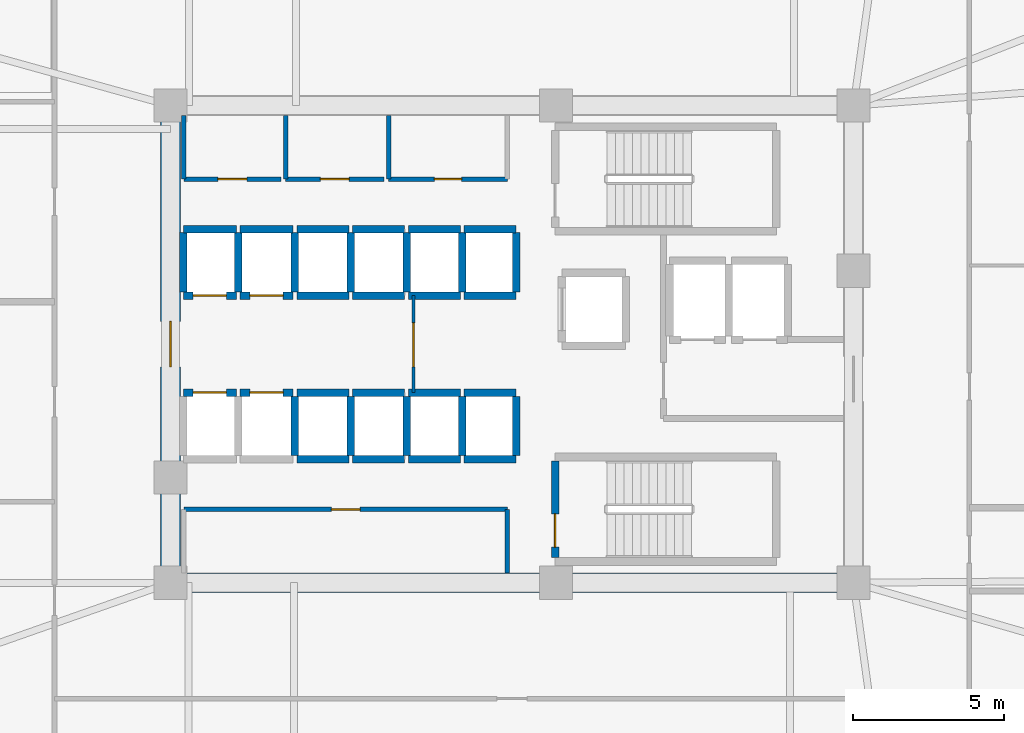
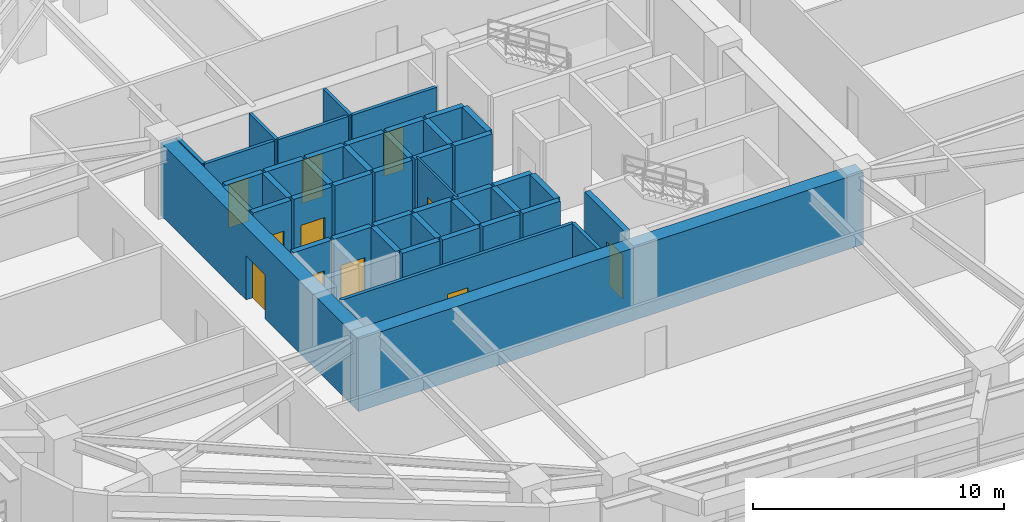
# One storey, part 8 of 13: 46 walls, 11 doors, 11 openings.
"""IFC4 building model written with IfcOpenShell, lengths in metres."""

from ifc_helpers import new_model, si_unit, direction, frame, frame_2d, origin, place, context, subcontext, project, spatial, rectangle, extrude, material, layer, layer_set, type_object, element, fill, save


model = new_model("IFC4")

# Units and contexts
model_context = context("Model", 3, precision=1e-05, world=origin(), true_north=direction((0.0, 1.0)))
body_context = subcontext(model_context, "Body", "Model", "MODEL_VIEW")
ifc_project = project(units=[si_unit("LENGTHUNIT", "METRE"), si_unit("AREAUNIT", "SQUARE_METRE"), si_unit("VOLUMEUNIT", "CUBIC_METRE"), si_unit("PLANEANGLEUNIT", "RADIAN"), si_unit("MASSUNIT", "GRAM", prefix="KILO")], contexts=[model_context])

# Site, building, storey
site_placement = place(None, origin())
site = spatial("IfcSite", under=ifc_project, at=site_placement, CompositionType="ELEMENT")
building_placement = place(site_placement, origin())
building = spatial("IfcBuilding", under=site, at=building_placement, Name="Zulverin Broadcast Headquarters", CompositionType="ELEMENT")
storey_placement = place(building_placement, frame((0.0, 0.0, 47.800048828125)))
storey = spatial("IfcBuildingStorey", under=building, at=storey_placement, Name="L11", CompositionType="ELEMENT", Elevation=47.800048828125)

# Wall
ifc_material_1 = material(Name="Concrete C60/75", Category="concrete")
ifc_layer_1 = layer(ifc_material_1, 0.64990234375, Name="Concrete C60/75", Category="concrete")
ifc_layer_set_1 = layer_set([ifc_layer_1], Name="Concrete C60/75")
wall_type_1 = type_object("IfcWallType", Name="WL-CORE-650", PredefinedType="SHEAR", material=ifc_layer_set_1)
wall_1_placement = place(storey_placement, frame((25.39990234375, 17.324951171875, 0.0), z_axis=(0.0, 0.0, 1.0), x_axis=(1.0, 0.0, 0.0)))
element("IfcWall", 1, at=wall_1_placement, inside=storey, type_object=wall_type_1, Name="L11 Core South Shear Wall", PredefinedType="SHEAR", context=body_context, shape_type="SweptSolid", body=[
    extrude(rectangle(XDim=23.2001953125, YDim=0.64990234375, at=frame_2d((11.60009765625, 0.0))), origin(), (0.0, 0.0, 1.0), 3.52490234375),
])

# Wall, opening, door
wall_2_placement = place(storey_placement, frame((25.72509765625, 17.64990234375, 0.0), z_axis=(0.0, 0.0, 1.0), x_axis=(0.0, 1.0, 0.0)))
wall_2 = element("IfcWall", 2, at=wall_2_placement, inside=storey, type_object=wall_type_1, Name="L11 Core West Shear Wall", PredefinedType="SHEAR", context=body_context, shape_type="SweptSolid", body=[
    extrude(rectangle(XDim=15.10009765625, YDim=0.64990234375, at=frame_2d((7.550048828125, 0.0))), origin(), (0.0, 0.0, 1.0), 3.52490234375),
])
opening_1_placement = place(wall_2_placement, frame((6.800048828125, 0.0, 0.0)))
opening_1 = element("IfcOpeningElement", 3, at=opening_1_placement, cuts=wall_2, Name="Opening D-L11-CW1", PredefinedType="OPENING", context=body_context, shape_type="SweptSolid", body=[
    extrude(rectangle(XDim=1.5, YDim=2.14990234375, at=frame_2d((0.75, 1.074951171875))), frame((0.0, 0.3349609375, 0.0), z_axis=(0.0, -1.0, 0.0), x_axis=(1.0, 0.0, 0.0)), (0.0, 0.0, 1.0), 0.669921875),
])
ifc_material_2 = material(Name="Fire-rated glazed steel frame", Category="steel")
door_type_1 = type_object("IfcDoorType", Name="DR-COR-1500", OperationType="DOUBLE_DOOR_SINGLE_SWING", PredefinedType="DOOR", material=ifc_material_2)
door_1_placement = place(opening_1_placement, origin())
door_1 = element("IfcDoor", 4, at=door_1_placement, inside=storey, type_object=door_type_1, Name="L11 Central Lift Lobby West Portal Door", OperationType="DOUBLE_DOOR_SINGLE_SWING", OverallHeight=2.14990234375, OverallWidth=1.5, PredefinedType="DOOR", context=body_context, shape_type="SweptSolid", body=[
    extrude(rectangle(XDim=1.5, YDim=2.14990234375, at=frame_2d((0.75, 1.074951171875))), frame((0.0, 0.02490234375, 0.0), z_axis=(0.0, -1.0, 0.0), x_axis=(1.0, 0.0, 0.0)), (0.0, 0.0, 1.0), 0.050048828125),
])
fill(opening_1, door_1)

ifc_material_3 = material(Name="Fire-rated acoustic laminated glass screen", Category="glass")
ifc_layer_2 = layer(ifc_material_3, 0.10009765625, Name="Fire-rated acoustic laminated glass screen", Category="glass")
ifc_layer_set_2 = layer_set([ifc_layer_2], Name="Fire-rated acoustic laminated glass screen")
wall_type_2 = type_object("IfcWallType", Name="WL-GLAZ-100", PredefinedType="PARTITIONING", material=ifc_layer_set_2)
wall_3_placement = place(storey_placement, frame((33.75, 23.60009765625, 0.0), z_axis=(0.0, 0.0, 1.0), x_axis=(0.0, 1.0, 0.0)))
wall_3 = element("IfcWall", 5, at=wall_3_placement, inside=storey, type_object=wall_type_2, Name="L11 Core Lobby Acoustic Screen", PredefinedType="PARTITIONING", context=body_context, shape_type="SweptSolid", body=[
    extrude(rectangle(XDim=3.199951171875, YDim=0.10009765625, at=frame_2d((1.60009765625, 0.0))), origin(), (0.0, 0.0, 1.0), 3.52490234375),
])
opening_2_placement = place(wall_3_placement, frame((0.85009765625, 0.0, 0.0)))
opening_2 = element("IfcOpeningElement", 6, at=opening_2_placement, cuts=wall_3, Name="Opening D-L11-CL1", PredefinedType="OPENING", context=body_context, shape_type="SweptSolid", body=[
    extrude(rectangle(XDim=1.449951171875, YDim=2.1201171875, at=frame_2d((0.72509765625, 1.06005859375))), frame((0.0, 0.06005859375, 0.0), z_axis=(0.0, -1.0, 0.0), x_axis=(1.0, 0.0, 0.0)), (0.0, 0.0, 1.0), 0.1201171875),
])
ifc_material_4 = material(Name="Fire-rated acoustic glazed double leaf", Category="glass")
door_type_2 = type_object("IfcDoorType", Name="DR-GLZ-1450", OperationType="DOUBLE_DOOR_SINGLE_SWING", PredefinedType="DOOR", material=ifc_material_4)
door_2_placement = place(opening_2_placement, origin())
door_2 = element("IfcDoor", 7, at=door_2_placement, inside=storey, type_object=door_type_2, Name="L11 Core Lobby Vestibule Door", OperationType="DOUBLE_DOOR_SINGLE_SWING", OverallHeight=2.1201171875, OverallWidth=1.449951171875, PredefinedType="DOOR", context=body_context, shape_type="SweptSolid", body=[
    extrude(rectangle(XDim=1.449951171875, YDim=2.1201171875, at=frame_2d((0.72509765625, 1.06005859375))), frame((0.0, 0.02490234375, 0.0), z_axis=(0.0, -1.0, 0.0), x_axis=(1.0, 0.0, 0.0)), (0.0, 0.0, 1.0), 0.050048828125),
])
fill(opening_2, door_2)

ifc_material_5 = material(Name="Fire-rated gypsum stud partition", Category="gypsum")
ifc_layer_3 = layer(ifc_material_5, 0.14990234375, Name="Fire-rated gypsum stud partition", Category="gypsum")
ifc_layer_set_3 = layer_set([ifc_layer_3], Name="Fire-rated gypsum stud partition")
wall_type_3 = type_object("IfcWallType", Name="WL-PART-150", PredefinedType="PARTITIONING", material=ifc_layer_set_3)
wall_4_placement = place(storey_placement, frame((26.169921875, 30.64990234375, 0.0), z_axis=(0.0, 0.0, 1.0), x_axis=(1.0, 0.0, 0.0)))
wall_4 = element("IfcWall", 8, at=wall_4_placement, inside=storey, type_object=wall_type_3, Name="L11 Core Accessible WC Front Wall", PredefinedType="PARTITIONING", context=body_context, shape_type="SweptSolid", body=[
    extrude(rectangle(XDim=3.2001953125, YDim=0.14990234375, at=frame_2d((1.60009765625, 0.0))), origin(), (0.0, 0.0, 1.0), 3.52490234375),
])
opening_3_placement = place(wall_4_placement, frame((1.125, 0.0, 0.0)))
opening_3 = element("IfcOpeningElement", 9, at=opening_3_placement, cuts=wall_4, Name="Opening D-L11-NC1", PredefinedType="OPENING", context=body_context, shape_type="SweptSolid", body=[
    extrude(rectangle(XDim=0.949951171875, YDim=2.10009765625, at=frame_2d((0.47509765625, 1.050048828125))), frame((0.0, 0.0849609375, 0.0), z_axis=(0.0, -1.0, 0.0), x_axis=(1.0, 0.0, 0.0)), (0.0, 0.0, 1.0), 0.169921875),
])
ifc_material_6 = material(Name="Fire-rated moisture-resistant laminate leaf", Category="wood")
door_type_3 = type_object("IfcDoorType", Name="DR-WC-950", OperationType="SINGLE_SWING_LEFT", PredefinedType="DOOR", material=ifc_material_6)
door_3_placement = place(opening_3_placement, origin())
door_3 = element("IfcDoor", 10, at=door_3_placement, inside=storey, type_object=door_type_3, Name="L11 Accessible WC Door", OperationType="SINGLE_SWING_LEFT", OverallHeight=2.10009765625, OverallWidth=0.949951171875, PredefinedType="DOOR", context=body_context, shape_type="SweptSolid", body=[
    extrude(rectangle(XDim=0.949951171875, YDim=2.10009765625, at=frame_2d((0.47509765625, 1.050048828125))), frame((0.0, 0.02490234375, 0.0), z_axis=(0.0, -1.0, 0.0), x_axis=(1.0, 0.0, 0.0)), (0.0, 0.0, 1.0), 0.050048828125),
])
fill(opening_3, door_3)

# Wall
wall_5_placement = place(storey_placement, frame((26.169921875, 30.64990234375, 0.0), z_axis=(0.0, 0.0, 1.0), x_axis=(0.0, 1.0, 0.0)))
element("IfcWall", 11, at=wall_5_placement, inside=storey, type_object=wall_type_3, Name="L11 Core Accessible WC West Wall", PredefinedType="PARTITIONING", context=body_context, shape_type="SweptSolid", body=[
    extrude(rectangle(XDim=2.10009765625, YDim=0.14990234375, at=frame_2d((1.050048828125, 0.0))), origin(), (0.0, 0.0, 1.0), 3.52490234375),
])

# Wall, opening, door
wall_6_placement = place(storey_placement, frame((29.530029296875, 30.64990234375, 0.0), z_axis=(0.0, 0.0, 1.0), x_axis=(1.0, 0.0, 0.0)))
wall_6 = element("IfcWall", 12, at=wall_6_placement, inside=storey, type_object=wall_type_3, Name="L11 Core Male WC Front Wall", PredefinedType="PARTITIONING", context=body_context, shape_type="SweptSolid", body=[
    extrude(rectangle(XDim=3.239990234375, YDim=0.14990234375, at=frame_2d((1.6201171875, 0.0))), origin(), (0.0, 0.0, 1.0), 3.52490234375),
])
opening_4_placement = place(wall_6_placement, frame((1.14501953125, 0.0, 0.0)))
opening_4 = element("IfcOpeningElement", 13, at=opening_4_placement, cuts=wall_6, Name="Opening D-L11-NC2", PredefinedType="OPENING", context=body_context, shape_type="SweptSolid", body=[
    extrude(rectangle(XDim=0.949951171875, YDim=2.10009765625, at=frame_2d((0.47509765625, 1.050048828125))), frame((0.0, 0.0849609375, 0.0), z_axis=(0.0, -1.0, 0.0), x_axis=(1.0, 0.0, 0.0)), (0.0, 0.0, 1.0), 0.169921875),
])
door_4_placement = place(opening_4_placement, origin())
door_4 = element("IfcDoor", 14, at=door_4_placement, inside=storey, type_object=door_type_3, Name="L11 Male WC Door", OperationType="SINGLE_SWING_RIGHT", OverallHeight=2.10009765625, OverallWidth=0.949951171875, PredefinedType="DOOR", context=body_context, shape_type="SweptSolid", body=[
    extrude(rectangle(XDim=0.949951171875, YDim=2.10009765625, at=frame_2d((0.47509765625, 1.050048828125))), frame((0.0, 0.02490234375, 0.0), z_axis=(0.0, -1.0, 0.0), x_axis=(1.0, 0.0, 0.0)), (0.0, 0.0, 1.0), 0.050048828125),
])
fill(opening_4, door_4)

# Wall
wall_7_placement = place(storey_placement, frame((29.530029296875, 30.64990234375, 0.0), z_axis=(0.0, 0.0, 1.0), x_axis=(0.0, 1.0, 0.0)))
element("IfcWall", 15, at=wall_7_placement, inside=storey, type_object=wall_type_3, Name="L11 Core Male WC West Wall", PredefinedType="PARTITIONING", context=body_context, shape_type="SweptSolid", body=[
    extrude(rectangle(XDim=2.10009765625, YDim=0.14990234375, at=frame_2d((1.050048828125, 0.0))), origin(), (0.0, 0.0, 1.0), 3.52490234375),
])

# Wall, opening, door
wall_8_placement = place(storey_placement, frame((32.929931640625, 30.64990234375, 0.0), z_axis=(0.0, 0.0, 1.0), x_axis=(1.0, 0.0, 0.0)))
wall_8 = element("IfcWall", 16, at=wall_8_placement, inside=storey, type_object=wall_type_3, Name="L11 Core Electrical Switch Riser Front Wall", PredefinedType="PARTITIONING", context=body_context, shape_type="SweptSolid", body=[
    extrude(rectangle(XDim=3.920166015625, YDim=0.14990234375, at=frame_2d((1.9599609375, 0.0))), origin(), (0.0, 0.0, 1.0), 3.52490234375),
])
opening_5_placement = place(wall_8_placement, frame((1.510009765625, 0.0, 0.0)))
opening_5 = element("IfcOpeningElement", 17, at=opening_5_placement, cuts=wall_8, Name="Opening D-L11-NC3", PredefinedType="OPENING", context=body_context, shape_type="SweptSolid", body=[
    extrude(rectangle(XDim=0.89990234375, YDim=2.10009765625, at=frame_2d((0.449951171875, 1.050048828125))), frame((0.0, 0.0849609375, 0.0), z_axis=(0.0, -1.0, 0.0), x_axis=(1.0, 0.0, 0.0)), (0.0, 0.0, 1.0), 0.169921875),
])
ifc_material_7 = material(Name="Powder-coated steel access leaf", Category="steel")
door_type_4 = type_object("IfcDoorType", Name="DR-RISER-900", OperationType="SINGLE_SWING_LEFT", PredefinedType="DOOR", material=ifc_material_7)
door_5_placement = place(opening_5_placement, origin())
door_5 = element("IfcDoor", 18, at=door_5_placement, inside=storey, type_object=door_type_4, Name="L11 Electrical Switch Riser Door", OperationType="SINGLE_SWING_LEFT", OverallHeight=2.10009765625, OverallWidth=0.89990234375, PredefinedType="DOOR", context=body_context, shape_type="SweptSolid", body=[
    extrude(rectangle(XDim=0.89990234375, YDim=2.10009765625, at=frame_2d((0.449951171875, 1.050048828125))), frame((0.0, 0.02490234375, 0.0), z_axis=(0.0, -1.0, 0.0), x_axis=(1.0, 0.0, 0.0)), (0.0, 0.0, 1.0), 0.050048828125),
])
fill(opening_5, door_5)

# Wall
wall_9_placement = place(storey_placement, frame((32.929931640625, 30.64990234375, 0.0), z_axis=(0.0, 0.0, 1.0), x_axis=(0.0, 1.0, 0.0)))
element("IfcWall", 19, at=wall_9_placement, inside=storey, type_object=wall_type_3, Name="L11 Core Electrical Switch Riser West Wall", PredefinedType="PARTITIONING", context=body_context, shape_type="SweptSolid", body=[
    extrude(rectangle(XDim=2.10009765625, YDim=0.14990234375, at=frame_2d((1.050048828125, 0.0))), origin(), (0.0, 0.0, 1.0), 3.52490234375),
])

# Wall, opening, door
wall_10_placement = place(storey_placement, frame((26.169921875, 19.75, 0.0), z_axis=(0.0, 0.0, 1.0), x_axis=(1.0, 0.0, 0.0)))
wall_10 = element("IfcWall", 20, at=wall_10_placement, inside=storey, type_object=wall_type_3, Name="L11 Core Female WC & Facilities Room Front Wall", PredefinedType="PARTITIONING", context=body_context, shape_type="SweptSolid", body=[
    extrude(rectangle(XDim=10.68017578125, YDim=0.14990234375, at=frame_2d((5.340087890625, 0.0))), origin(), (0.0, 0.0, 1.0), 3.52490234375),
])
opening_6_placement = place(wall_10_placement, frame((4.864990234375, 0.0, 0.0)))
opening_6 = element("IfcOpeningElement", 21, at=opening_6_placement, cuts=wall_10, Name="Opening D-L11-SC1", PredefinedType="OPENING", context=body_context, shape_type="SweptSolid", body=[
    extrude(rectangle(XDim=0.949951171875, YDim=2.10009765625, at=frame_2d((0.47509765625, 1.050048828125))), frame((0.0, 0.0849609375, 0.0), z_axis=(0.0, -1.0, 0.0), x_axis=(1.0, 0.0, 0.0)), (0.0, 0.0, 1.0), 0.169921875),
])
door_6_placement = place(opening_6_placement, origin())
door_6 = element("IfcDoor", 22, at=door_6_placement, inside=storey, type_object=door_type_3, Name="L11 Female WC & Facilities Room Door", OperationType="SINGLE_SWING_RIGHT", OverallHeight=2.10009765625, OverallWidth=0.949951171875, PredefinedType="DOOR", context=body_context, shape_type="SweptSolid", body=[
    extrude(rectangle(XDim=0.949951171875, YDim=2.10009765625, at=frame_2d((0.47509765625, 1.050048828125))), frame((0.0, 0.02490234375, 0.0), z_axis=(0.0, -1.0, 0.0), x_axis=(1.0, 0.0, 0.0)), (0.0, 0.0, 1.0), 0.050048828125),
])
fill(opening_6, door_6)

# Wall
wall_11_placement = place(storey_placement, frame((36.85009765625, 17.64990234375, 0.0), z_axis=(0.0, 0.0, 1.0), x_axis=(0.0, 1.0, 0.0)))
element("IfcWall", 23, at=wall_11_placement, inside=storey, type_object=wall_type_3, Name="L11 Core Female WC & Facilities Room East Wall", PredefinedType="PARTITIONING", context=body_context, shape_type="SweptSolid", body=[
    extrude(rectangle(XDim=2.10009765625, YDim=0.14990234375, at=frame_2d((1.050048828125, 0.0))), origin(), (0.0, 0.0, 1.0), 3.52490234375),
])

# Wall, opening, door
ifc_material_8 = material(Name="Concrete C50/60", Category="concrete")
ifc_layer_4 = layer(ifc_material_8, 0.25, Name="Concrete C50/60", Category="concrete")
ifc_layer_set_4 = layer_set([ifc_layer_4], Name="Concrete C50/60")
wall_type_4 = type_object("IfcWallType", Name="WL-SHAFT-250", PredefinedType="SHEAR", material=ifc_layer_set_4)
wall_12_placement = place(storey_placement, frame((38.425048828125, 18.14990234375, 0.0), z_axis=(0.0, 0.0, 1.0), x_axis=(0.0, 1.0, 0.0)))
wall_12 = element("IfcWall", 24, at=wall_12_placement, inside=storey, type_object=wall_type_4, Name="L11 ST-2 Enclosure Wall W", PredefinedType="SHEAR", context=body_context, shape_type="SweptSolid", body=[
    extrude(rectangle(XDim=3.2001953125, YDim=0.25, at=frame_2d((1.60009765625, 0.0))), origin(), (0.0, 0.0, 1.0), 3.52490234375),
])
opening_7_placement = place(wall_12_placement, frame((0.35009765625, 0.0, 0.0)))
opening_7 = element("IfcOpeningElement", 25, at=opening_7_placement, cuts=wall_12, Name="Opening D-L11-ST-2", PredefinedType="OPENING", context=body_context, shape_type="SweptSolid", body=[
    extrude(rectangle(XDim=1.10009765625, YDim=2.14990234375, at=frame_2d((0.550048828125, 1.074951171875))), frame((0.0, 0.135009765625, 0.0), z_axis=(0.0, -1.0, 0.0), x_axis=(1.0, 0.0, 0.0)), (0.0, 0.0, 1.0), 0.27001953125),
])
ifc_material_9 = material(Name="Fire-rated steel leaf and frame", Category="steel")
door_type_5 = type_object("IfcDoorType", Name="DR-STAIR-1100", OperationType="SINGLE_SWING_LEFT", PredefinedType="DOOR", material=ifc_material_9)
door_7_placement = place(opening_7_placement, origin())
door_7 = element("IfcDoor", 26, at=door_7_placement, inside=storey, type_object=door_type_5, Name="L11 Exit Stair ST-2 Fire Door", OperationType="SINGLE_SWING_RIGHT", OverallHeight=2.14990234375, OverallWidth=1.10009765625, PredefinedType="DOOR", context=body_context, shape_type="SweptSolid", body=[
    extrude(rectangle(XDim=1.10009765625, YDim=2.14990234375, at=frame_2d((0.550048828125, 1.074951171875))), frame((0.0, 0.02490234375, 0.0), z_axis=(0.0, -1.0, 0.0), x_axis=(1.0, 0.0, 0.0)), (0.0, 0.0, 1.0), 0.050048828125),
])
fill(opening_7, door_7)

wall_13_placement = place(storey_placement, frame((26.14990234375, 26.800048828125, 0.0), z_axis=(0.0, 0.0, 1.0), x_axis=(1.0, 0.0, 0.0)))
wall_13 = element("IfcWall", 27, at=wall_13_placement, inside=storey, type_object=wall_type_4, Name="L11 Lift PL-L1 Shaft Wall S", PredefinedType="SHEAR", context=body_context, shape_type="SweptSolid", body=[
    extrude(rectangle(XDim=1.75, YDim=0.25, at=frame_2d((0.875, 0.0))), origin(), (0.0, 0.0, 1.0), 3.52490234375),
])
opening_8_placement = place(wall_13_placement, frame((0.324951171875, 0.0, 0.0)))
opening_8 = element("IfcOpeningElement", 28, at=opening_8_placement, cuts=wall_13, Name="Opening LD-PL-L1-L11", PredefinedType="OPENING", context=body_context, shape_type="SweptSolid", body=[
    extrude(rectangle(XDim=1.10009765625, YDim=2.14990234375, at=frame_2d((0.550048828125, 1.074951171875))), frame((0.0, 0.135009765625, 0.0), z_axis=(0.0, -1.0, 0.0), x_axis=(1.0, 0.0, 0.0)), (0.0, 0.0, 1.0), 0.27001953125),
])
ifc_material_10 = material(Name="Brushed stainless steel landing", Category="steel")
door_type_6 = type_object("IfcDoorType", Name="LD-PASS-1100", OperationType="DOUBLE_DOOR_SLIDING", PredefinedType="DOOR", material=ifc_material_10)
door_8_placement = place(opening_8_placement, origin())
door_8 = element("IfcDoor", 29, at=door_8_placement, inside=storey, type_object=door_type_6, Name="L11 Lift PL-L1 Sliding Landing Door", OperationType="DOUBLE_DOOR_SLIDING", OverallHeight=2.14990234375, OverallWidth=1.10009765625, PredefinedType="DOOR", context=body_context, shape_type="SweptSolid", body=[
    extrude(rectangle(XDim=1.10009765625, YDim=2.14990234375, at=frame_2d((0.550048828125, 1.074951171875))), frame((0.0, 0.02490234375, 0.0), z_axis=(0.0, -1.0, 0.0), x_axis=(1.0, 0.0, 0.0)), (0.0, 0.0, 1.0), 0.050048828125),
])
fill(opening_8, door_8)

# Walls
wall_14_placement = place(storey_placement, frame((26.14990234375, 29.0, 0.0), z_axis=(0.0, 0.0, 1.0), x_axis=(1.0, 0.0, 0.0)))
element("IfcWall", 30, at=wall_14_placement, inside=storey, type_object=wall_type_4, Name="L11 Lift PL-L1 Shaft Wall N", PredefinedType="SHEAR", context=body_context, shape_type="SweptSolid", body=[
    extrude(rectangle(XDim=1.75, YDim=0.25, at=frame_2d((0.875, 0.0))), origin(), (0.0, 0.0, 1.0), 3.52490234375),
])
for number, where, z_axis, x_axis, name in (
    (31, (26.14990234375, 26.919921875, 0.0), (0.0, 0.0, 1.0), (0.0, 1.0, 0.0), "L11 Lift PL-L1 Shaft Wall W"),
    (32, (27.9599609375, 26.919921875, 0.0), (0.0, 0.0, 1.0), (0.0, 1.0, 0.0), "L11 Lift PL-L1 Shaft Wall E"),
):
    element("IfcWall", number, at=place(storey_placement, frame(where, z_axis=z_axis, x_axis=x_axis)), inside=storey, type_object=wall_type_4, Name=name, PredefinedType="SHEAR", context=body_context, shape_type="SweptSolid", body=[
        extrude(rectangle(XDim=1.9599609375, YDim=0.25, at=frame_2d((0.97998046875, 0.0))), origin(), (0.0, 0.0, 1.0), 3.52490234375),
    ])

# Wall, opening, door
wall_15_placement = place(storey_placement, frame((28.02001953125, 26.800048828125, 0.0), z_axis=(0.0, 0.0, 1.0), x_axis=(1.0, 0.0, 0.0)))
wall_15 = element("IfcWall", 33, at=wall_15_placement, inside=storey, type_object=wall_type_4, Name="L11 Lift PL-L2 Shaft Wall S", PredefinedType="SHEAR", context=body_context, shape_type="SweptSolid", body=[
    extrude(rectangle(XDim=1.75, YDim=0.25, at=frame_2d((0.875, 0.0))), origin(), (0.0, 0.0, 1.0), 3.52490234375),
])
opening_9_placement = place(wall_15_placement, frame((0.324951171875, 0.0, 0.0)))
opening_9 = element("IfcOpeningElement", 34, at=opening_9_placement, cuts=wall_15, Name="Opening LD-PL-L2-L11", PredefinedType="OPENING", context=body_context, shape_type="SweptSolid", body=[
    extrude(rectangle(XDim=1.10009765625, YDim=2.14990234375, at=frame_2d((0.550048828125, 1.074951171875))), frame((0.0, 0.135009765625, 0.0), z_axis=(0.0, -1.0, 0.0), x_axis=(1.0, 0.0, 0.0)), (0.0, 0.0, 1.0), 0.27001953125),
])
door_9_placement = place(opening_9_placement, origin())
door_9 = element("IfcDoor", 35, at=door_9_placement, inside=storey, type_object=door_type_6, Name="L11 Lift PL-L2 Sliding Landing Door", OperationType="DOUBLE_DOOR_SLIDING", OverallHeight=2.14990234375, OverallWidth=1.10009765625, PredefinedType="DOOR", context=body_context, shape_type="SweptSolid", body=[
    extrude(rectangle(XDim=1.10009765625, YDim=2.14990234375, at=frame_2d((0.550048828125, 1.074951171875))), frame((0.0, 0.02490234375, 0.0), z_axis=(0.0, -1.0, 0.0), x_axis=(1.0, 0.0, 0.0)), (0.0, 0.0, 1.0), 0.050048828125),
])
fill(opening_9, door_9)

# Walls
wall_16_placement = place(storey_placement, frame((28.02001953125, 29.0, 0.0), z_axis=(0.0, 0.0, 1.0), x_axis=(1.0, 0.0, 0.0)))
element("IfcWall", 36, at=wall_16_placement, inside=storey, type_object=wall_type_4, Name="L11 Lift PL-L2 Shaft Wall N", PredefinedType="SHEAR", context=body_context, shape_type="SweptSolid", body=[
    extrude(rectangle(XDim=1.75, YDim=0.25, at=frame_2d((0.875, 0.0))), origin(), (0.0, 0.0, 1.0), 3.52490234375),
])
wall_17_placement = place(storey_placement, frame((29.8349609375, 26.919921875, 0.0), z_axis=(0.0, 0.0, 1.0), x_axis=(0.0, 1.0, 0.0)))
element("IfcWall", 37, at=wall_17_placement, inside=storey, type_object=wall_type_4, Name="L11 Lift PL-L2 Shaft Wall E", PredefinedType="SHEAR", context=body_context, shape_type="SweptSolid", body=[
    extrude(rectangle(XDim=1.9599609375, YDim=0.25, at=frame_2d((0.97998046875, 0.0))), origin(), (0.0, 0.0, 1.0), 3.52490234375),
])

# Wall, opening, door
wall_18_placement = place(storey_placement, frame((26.14990234375, 23.60009765625, 0.0), z_axis=(0.0, 0.0, 1.0), x_axis=(1.0, 0.0, 0.0)))
wall_18 = element("IfcWall", 38, at=wall_18_placement, inside=storey, type_object=wall_type_4, Name="L11 Lift PL-L3 Shaft Wall N", PredefinedType="SHEAR", context=body_context, shape_type="SweptSolid", body=[
    extrude(rectangle(XDim=1.75, YDim=0.25, at=frame_2d((0.875, 0.0))), origin(), (0.0, 0.0, 1.0), 3.52490234375),
])
opening_10_placement = place(wall_18_placement, frame((0.324951171875, 0.0, 0.0)))
opening_10 = element("IfcOpeningElement", 39, at=opening_10_placement, cuts=wall_18, Name="Opening LD-PL-L3-L11", PredefinedType="OPENING", context=body_context, shape_type="SweptSolid", body=[
    extrude(rectangle(XDim=1.10009765625, YDim=2.14990234375, at=frame_2d((0.550048828125, 1.074951171875))), frame((0.0, 0.135009765625, 0.0), z_axis=(0.0, -1.0, 0.0), x_axis=(1.0, 0.0, 0.0)), (0.0, 0.0, 1.0), 0.27001953125),
])
door_10_placement = place(opening_10_placement, origin())
door_10 = element("IfcDoor", 40, at=door_10_placement, inside=storey, type_object=door_type_6, Name="L11 Lift PL-L3 Sliding Landing Door", OperationType="DOUBLE_DOOR_SLIDING", OverallHeight=2.14990234375, OverallWidth=1.10009765625, PredefinedType="DOOR", context=body_context, shape_type="SweptSolid", body=[
    extrude(rectangle(XDim=1.10009765625, YDim=2.14990234375, at=frame_2d((0.550048828125, 1.074951171875))), frame((0.0, 0.02490234375, 0.0), z_axis=(0.0, -1.0, 0.0), x_axis=(1.0, 0.0, 0.0)), (0.0, 0.0, 1.0), 0.050048828125),
])
fill(opening_10, door_10)

wall_19_placement = place(storey_placement, frame((28.02001953125, 23.60009765625, 0.0), z_axis=(0.0, 0.0, 1.0), x_axis=(1.0, 0.0, 0.0)))
wall_19 = element("IfcWall", 41, at=wall_19_placement, inside=storey, type_object=wall_type_4, Name="L11 Lift PL-L4 Shaft Wall N", PredefinedType="SHEAR", context=body_context, shape_type="SweptSolid", body=[
    extrude(rectangle(XDim=1.75, YDim=0.25, at=frame_2d((0.875, 0.0))), origin(), (0.0, 0.0, 1.0), 3.52490234375),
])
opening_11_placement = place(wall_19_placement, frame((0.324951171875, 0.0, 0.0)))
opening_11 = element("IfcOpeningElement", 42, at=opening_11_placement, cuts=wall_19, Name="Opening LD-PL-L4-L11", PredefinedType="OPENING", context=body_context, shape_type="SweptSolid", body=[
    extrude(rectangle(XDim=1.10009765625, YDim=2.14990234375, at=frame_2d((0.550048828125, 1.074951171875))), frame((0.0, 0.135009765625, 0.0), z_axis=(0.0, -1.0, 0.0), x_axis=(1.0, 0.0, 0.0)), (0.0, 0.0, 1.0), 0.27001953125),
])
door_11_placement = place(opening_11_placement, origin())
door_11 = element("IfcDoor", 43, at=door_11_placement, inside=storey, type_object=door_type_6, Name="L11 Lift PL-L4 Sliding Landing Door", OperationType="DOUBLE_DOOR_SLIDING", OverallHeight=2.14990234375, OverallWidth=1.10009765625, PredefinedType="DOOR", context=body_context, shape_type="SweptSolid", body=[
    extrude(rectangle(XDim=1.10009765625, YDim=2.14990234375, at=frame_2d((0.550048828125, 1.074951171875))), frame((0.0, 0.02490234375, 0.0), z_axis=(0.0, -1.0, 0.0), x_axis=(1.0, 0.0, 0.0)), (0.0, 0.0, 1.0), 0.050048828125),
])
fill(opening_11, door_11)

# Walls
wall_20_placement = place(storey_placement, frame((29.8349609375, 21.52001953125, 0.0), z_axis=(0.0, 0.0, 1.0), x_axis=(0.0, 1.0, 0.0)))
element("IfcWall", 44, at=wall_20_placement, inside=storey, type_object=wall_type_4, Name="L11 Lift PL-L4 Shaft Wall E", PredefinedType="SHEAR", context=body_context, shape_type="SweptSolid", body=[
    extrude(rectangle(XDim=1.9599609375, YDim=0.25, at=frame_2d((0.97998046875, 0.0))), origin(), (0.0, 0.0, 1.0), 3.52490234375),
])
for number, where, z_axis, x_axis, name in (
    (45, (29.89990234375, 21.39990234375, 0.0), (0.0, 0.0, 1.0), (1.0, 0.0, 0.0), "L11 Lift PL-M1 Shaft Wall S"),
    (46, (29.89990234375, 23.60009765625, 0.0), (0.0, 0.0, 1.0), (1.0, 0.0, 0.0), "L11 Lift PL-M1 Shaft Wall N"),
):
    element("IfcWall", number, at=place(storey_placement, frame(where, z_axis=z_axis, x_axis=x_axis)), inside=storey, type_object=wall_type_4, Name=name, PredefinedType="SHEAR", context=body_context, shape_type="SweptSolid", body=[
        extrude(rectangle(XDim=1.72021484375, YDim=0.25, at=frame_2d((0.860107421875, 0.0))), origin(), (0.0, 0.0, 1.0), 3.52490234375),
    ])
wall_21_placement = place(storey_placement, frame((31.679931640625, 21.52001953125, 0.0), z_axis=(0.0, 0.0, 1.0), x_axis=(0.0, 1.0, 0.0)))
element("IfcWall", 47, at=wall_21_placement, inside=storey, type_object=wall_type_4, Name="L11 Lift PL-M1 Shaft Wall E", PredefinedType="SHEAR", context=body_context, shape_type="SweptSolid", body=[
    extrude(rectangle(XDim=1.9599609375, YDim=0.25, at=frame_2d((0.97998046875, 0.0))), origin(), (0.0, 0.0, 1.0), 3.52490234375),
])
for number, where, z_axis, x_axis, name in (
    (48, (31.739990234375, 21.39990234375, 0.0), (0.0, 0.0, 1.0), (1.0, 0.0, 0.0), "L11 Lift PL-M2 Shaft Wall S"),
    (49, (31.739990234375, 23.60009765625, 0.0), (0.0, 0.0, 1.0), (1.0, 0.0, 0.0), "L11 Lift PL-M2 Shaft Wall N"),
):
    element("IfcWall", number, at=place(storey_placement, frame(where, z_axis=z_axis, x_axis=x_axis)), inside=storey, type_object=wall_type_4, Name=name, PredefinedType="SHEAR", context=body_context, shape_type="SweptSolid", body=[
        extrude(rectangle(XDim=1.719970703125, YDim=0.25, at=frame_2d((0.85986328125, 0.0))), origin(), (0.0, 0.0, 1.0), 3.52490234375),
    ])
wall_22_placement = place(storey_placement, frame((33.52001953125, 21.52001953125, 0.0), z_axis=(0.0, 0.0, 1.0), x_axis=(0.0, 1.0, 0.0)))
element("IfcWall", 50, at=wall_22_placement, inside=storey, type_object=wall_type_4, Name="L11 Lift PL-M2 Shaft Wall E", PredefinedType="SHEAR", context=body_context, shape_type="SweptSolid", body=[
    extrude(rectangle(XDim=1.9599609375, YDim=0.25, at=frame_2d((0.97998046875, 0.0))), origin(), (0.0, 0.0, 1.0), 3.52490234375),
])
for number, where, z_axis, x_axis, name in (
    (51, (33.580078125, 21.39990234375, 0.0), (0.0, 0.0, 1.0), (1.0, 0.0, 0.0), "L11 Lift PL-M3 Shaft Wall S"),
    (52, (33.580078125, 23.60009765625, 0.0), (0.0, 0.0, 1.0), (1.0, 0.0, 0.0), "L11 Lift PL-M3 Shaft Wall N"),
):
    element("IfcWall", number, at=place(storey_placement, frame(where, z_axis=z_axis, x_axis=x_axis)), inside=storey, type_object=wall_type_4, Name=name, PredefinedType="SHEAR", context=body_context, shape_type="SweptSolid", body=[
        extrude(rectangle(XDim=1.719970703125, YDim=0.25, at=frame_2d((0.85986328125, 0.0))), origin(), (0.0, 0.0, 1.0), 3.52490234375),
    ])
wall_23_placement = place(storey_placement, frame((35.360107421875, 21.52001953125, 0.0), z_axis=(0.0, 0.0, 1.0), x_axis=(0.0, 1.0, 0.0)))
element("IfcWall", 53, at=wall_23_placement, inside=storey, type_object=wall_type_4, Name="L11 Lift PL-M3 Shaft Wall E", PredefinedType="SHEAR", context=body_context, shape_type="SweptSolid", body=[
    extrude(rectangle(XDim=1.9599609375, YDim=0.25, at=frame_2d((0.97998046875, 0.0))), origin(), (0.0, 0.0, 1.0), 3.52490234375),
])
for number, where, z_axis, x_axis, name in (
    (54, (35.419921875, 21.39990234375, 0.0), (0.0, 0.0, 1.0), (1.0, 0.0, 0.0), "L11 Lift PL-M4 Shaft Wall S"),
    (55, (35.419921875, 23.60009765625, 0.0), (0.0, 0.0, 1.0), (1.0, 0.0, 0.0), "L11 Lift PL-M4 Shaft Wall N"),
):
    element("IfcWall", number, at=place(storey_placement, frame(where, z_axis=z_axis, x_axis=x_axis)), inside=storey, type_object=wall_type_4, Name=name, PredefinedType="SHEAR", context=body_context, shape_type="SweptSolid", body=[
        extrude(rectangle(XDim=1.719970703125, YDim=0.25, at=frame_2d((0.85986328125, 0.0))), origin(), (0.0, 0.0, 1.0), 3.52490234375),
    ])
wall_24_placement = place(storey_placement, frame((37.139892578125, 21.52001953125, 0.0), z_axis=(0.0, 0.0, 1.0), x_axis=(0.0, 1.0, 0.0)))
element("IfcWall", 56, at=wall_24_placement, inside=storey, type_object=wall_type_4, Name="L11 Lift PL-M4 Shaft Wall E", PredefinedType="SHEAR", context=body_context, shape_type="SweptSolid", body=[
    extrude(rectangle(XDim=1.9599609375, YDim=0.25, at=frame_2d((0.97998046875, 0.0))), origin(), (0.0, 0.0, 1.0), 3.52490234375),
])
for number, where, z_axis, x_axis, name in (
    (57, (29.89990234375, 26.800048828125, 0.0), (0.0, 0.0, 1.0), (1.0, 0.0, 0.0), "L11 Lift PL-H1 Shaft Wall S"),
    (58, (29.89990234375, 29.0, 0.0), (0.0, 0.0, 1.0), (1.0, 0.0, 0.0), "L11 Lift PL-H1 Shaft Wall N"),
):
    element("IfcWall", number, at=place(storey_placement, frame(where, z_axis=z_axis, x_axis=x_axis)), inside=storey, type_object=wall_type_4, Name=name, PredefinedType="SHEAR", context=body_context, shape_type="SweptSolid", body=[
        extrude(rectangle(XDim=1.72021484375, YDim=0.25, at=frame_2d((0.860107421875, 0.0))), origin(), (0.0, 0.0, 1.0), 3.52490234375),
    ])
wall_25_placement = place(storey_placement, frame((31.679931640625, 26.919921875, 0.0), z_axis=(0.0, 0.0, 1.0), x_axis=(0.0, 1.0, 0.0)))
element("IfcWall", 59, at=wall_25_placement, inside=storey, type_object=wall_type_4, Name="L11 Lift PL-H1 Shaft Wall E", PredefinedType="SHEAR", context=body_context, shape_type="SweptSolid", body=[
    extrude(rectangle(XDim=1.9599609375, YDim=0.25, at=frame_2d((0.97998046875, 0.0))), origin(), (0.0, 0.0, 1.0), 3.52490234375),
])
for number, where, z_axis, x_axis, name in (
    (60, (31.739990234375, 26.800048828125, 0.0), (0.0, 0.0, 1.0), (1.0, 0.0, 0.0), "L11 Lift PL-H2 Shaft Wall S"),
    (61, (31.739990234375, 29.0, 0.0), (0.0, 0.0, 1.0), (1.0, 0.0, 0.0), "L11 Lift PL-H2 Shaft Wall N"),
):
    element("IfcWall", number, at=place(storey_placement, frame(where, z_axis=z_axis, x_axis=x_axis)), inside=storey, type_object=wall_type_4, Name=name, PredefinedType="SHEAR", context=body_context, shape_type="SweptSolid", body=[
        extrude(rectangle(XDim=1.719970703125, YDim=0.25, at=frame_2d((0.85986328125, 0.0))), origin(), (0.0, 0.0, 1.0), 3.52490234375),
    ])
wall_26_placement = place(storey_placement, frame((33.52001953125, 26.919921875, 0.0), z_axis=(0.0, 0.0, 1.0), x_axis=(0.0, 1.0, 0.0)))
element("IfcWall", 62, at=wall_26_placement, inside=storey, type_object=wall_type_4, Name="L11 Lift PL-H2 Shaft Wall E", PredefinedType="SHEAR", context=body_context, shape_type="SweptSolid", body=[
    extrude(rectangle(XDim=1.9599609375, YDim=0.25, at=frame_2d((0.97998046875, 0.0))), origin(), (0.0, 0.0, 1.0), 3.52490234375),
])
for number, where, z_axis, x_axis, name in (
    (63, (33.580078125, 26.800048828125, 0.0), (0.0, 0.0, 1.0), (1.0, 0.0, 0.0), "L11 Lift PL-H3 Shaft Wall S"),
    (64, (33.580078125, 29.0, 0.0), (0.0, 0.0, 1.0), (1.0, 0.0, 0.0), "L11 Lift PL-H3 Shaft Wall N"),
):
    element("IfcWall", number, at=place(storey_placement, frame(where, z_axis=z_axis, x_axis=x_axis)), inside=storey, type_object=wall_type_4, Name=name, PredefinedType="SHEAR", context=body_context, shape_type="SweptSolid", body=[
        extrude(rectangle(XDim=1.719970703125, YDim=0.25, at=frame_2d((0.85986328125, 0.0))), origin(), (0.0, 0.0, 1.0), 3.52490234375),
    ])
wall_27_placement = place(storey_placement, frame((35.360107421875, 26.919921875, 0.0), z_axis=(0.0, 0.0, 1.0), x_axis=(0.0, 1.0, 0.0)))
element("IfcWall", 65, at=wall_27_placement, inside=storey, type_object=wall_type_4, Name="L11 Lift PL-H3 Shaft Wall E", PredefinedType="SHEAR", context=body_context, shape_type="SweptSolid", body=[
    extrude(rectangle(XDim=1.9599609375, YDim=0.25, at=frame_2d((0.97998046875, 0.0))), origin(), (0.0, 0.0, 1.0), 3.52490234375),
])
for number, where, z_axis, x_axis, name in (
    (66, (35.419921875, 26.800048828125, 0.0), (0.0, 0.0, 1.0), (1.0, 0.0, 0.0), "L11 Lift PL-H4 Shaft Wall S"),
    (67, (35.419921875, 29.0, 0.0), (0.0, 0.0, 1.0), (1.0, 0.0, 0.0), "L11 Lift PL-H4 Shaft Wall N"),
):
    element("IfcWall", number, at=place(storey_placement, frame(where, z_axis=z_axis, x_axis=x_axis)), inside=storey, type_object=wall_type_4, Name=name, PredefinedType="SHEAR", context=body_context, shape_type="SweptSolid", body=[
        extrude(rectangle(XDim=1.719970703125, YDim=0.25, at=frame_2d((0.85986328125, 0.0))), origin(), (0.0, 0.0, 1.0), 3.52490234375),
    ])
wall_28_placement = place(storey_placement, frame((37.139892578125, 26.919921875, 0.0), z_axis=(0.0, 0.0, 1.0), x_axis=(0.0, 1.0, 0.0)))
element("IfcWall", 68, at=wall_28_placement, inside=storey, type_object=wall_type_4, Name="L11 Lift PL-H4 Shaft Wall E", PredefinedType="SHEAR", context=body_context, shape_type="SweptSolid", body=[
    extrude(rectangle(XDim=1.9599609375, YDim=0.25, at=frame_2d((0.97998046875, 0.0))), origin(), (0.0, 0.0, 1.0), 3.52490234375),
])

save(model, "model.ifc")
